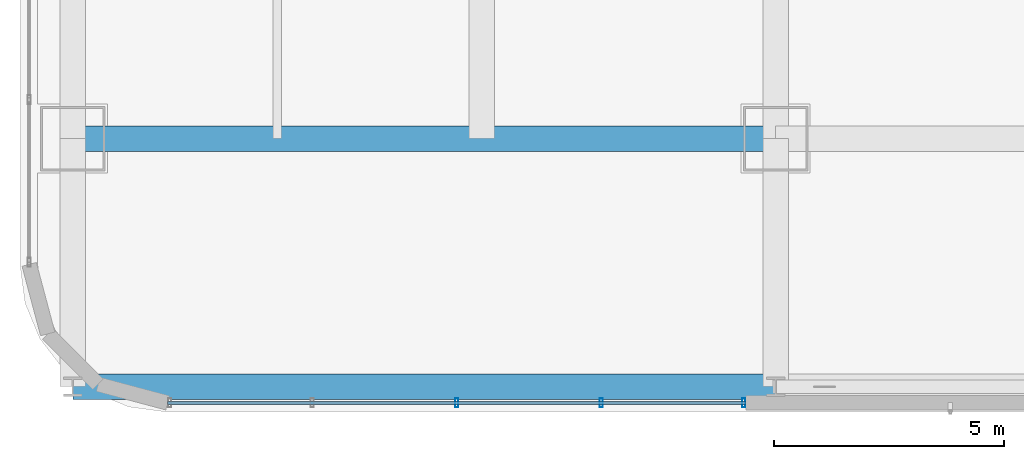
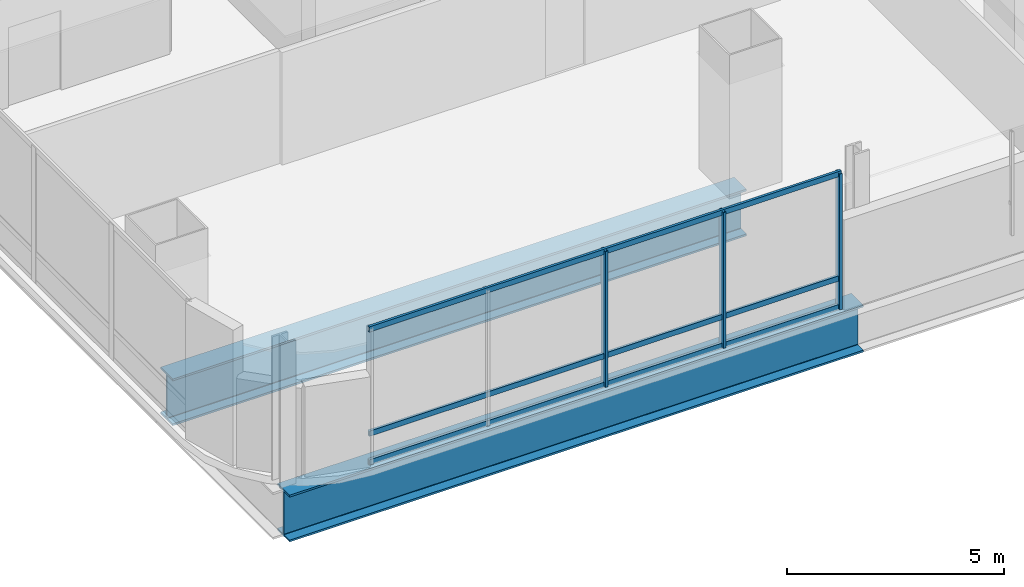
# One storey, part 3 of 41: 6 members, 2 beams, 1 element without a shape of its own.
"""IFC4 building model written with IfcOpenShell, lengths in metres."""

from ifc_helpers import new_model, si_unit, direction, frame, origin, origin_2d, place, context, subcontext, project, spatial, hollow_rectangle, i_section, extrude, material, material_profile, profile_set, type_object, element, aggregate, save


model = new_model("IFC4")

# Units and contexts
model_context = context("Model", 3, precision=1e-05, world=origin(), true_north=direction((0.0, 1.0)))
body_context = subcontext(model_context, "Body", "Model", "MODEL_VIEW")
ifc_project = project(units=[si_unit("LENGTHUNIT", "METRE"), si_unit("AREAUNIT", "SQUARE_METRE"), si_unit("VOLUMEUNIT", "CUBIC_METRE"), si_unit("PLANEANGLEUNIT", "RADIAN"), si_unit("MASSUNIT", "GRAM", prefix="KILO")], contexts=[model_context])

# Site, building, storey
site_placement = place(None, origin())
site = spatial("IfcSite", under=ifc_project, at=site_placement, CompositionType="ELEMENT")
building_placement = place(site_placement, origin())
building = spatial("IfcBuilding", under=site, at=building_placement, Name="Punatoya Terracotta Tower", CompositionType="ELEMENT")
storey_placement = place(building_placement, frame((0.0, 0.0, 220.800048828125)))
storey = spatial("IfcBuildingStorey", under=building, at=storey_placement, Name="L52", CompositionType="ELEMENT", Elevation=220.800048828125)

# Beams
ifc_material_1 = material(Name="Steel S460", Category="steel")
ifc_material_profile_1 = material_profile(ifc_material_1, i_section(OverallWidth=0.56005859375, OverallDepth=1.320068359375, WebThickness=0.035888671875, FlangeThickness=0.054931640625, FilletRadius=0.01806640625, at=origin_2d()))
ifc_profile_set_1 = profile_set([ifc_material_profile_1], Name="Steel S460")
beam_type = type_object("IfcBeamType", Name="BM-TG-BLK", PredefinedType="BEAM", material=ifc_profile_set_1)
for number, where, z_axis, x_axis, name in (
    (1, (-19.10009765625, -17.5, -0.880126953125), (1.0, 0.0, 0.0), (0.0, 1.0, 0.0), "BM-L52-RG-S1"),
    (2, (-19.10009765625, -22.89990234375, -0.880126953125), (1.0, 0.0, 0.0), (0.0, 1.0, 0.0), "BM-L52-PER-S1"),
):
    element("IfcBeam", number, at=place(storey_placement, frame(where, z_axis=z_axis, x_axis=x_axis)), inside=storey, type_object=beam_type, Name=name, PredefinedType="BEAM", context=body_context, shape_type="SweptSolid", body=[
        extrude(i_section(OverallWidth=0.56005859375, OverallDepth=1.320068359375, WebThickness=0.035888671875, FlangeThickness=0.054931640625, FilletRadius=0.01806640625, at=origin_2d()), origin(), (0.0, 0.0, 1.0), 15.300048828125),
    ])

# Curtain wall, members
ifc_material_2 = material(Name="Aluminium 6063-T6 + Double Low-E Glass", Category="aluminium")
curtain_wall_type = type_object("IfcCurtainWallType", Name="CW-M2", PredefinedType="NOTDEFINED", material=ifc_material_2)
curtain_wall_placement = place(storey_placement, origin())
curtain_wall = element("IfcCurtainWall", 3, at=curtain_wall_placement, inside=storey, type_object=curtain_wall_type, Name="L52 Curtain Wall CW-L52-S01-1", PredefinedType="NOTDEFINED")
ifc_material_3 = material(Name="Aluminium 6063-T6", Category="aluminium")
ifc_material_profile_2 = material_profile(ifc_material_3, hollow_rectangle(XDim=0.072021484375, YDim=0.195068359375, WallThickness=0.00439453125, at=origin_2d()))
ifc_profile_set_2 = profile_set([ifc_material_profile_2], Name="Aluminium 6063-T6")
member_type_1 = type_object("IfcMemberType", Name="CW-MUL-M2", PredefinedType="MULLION", material=ifc_profile_set_2)
member_1_placement = place(storey_placement, frame((-10.743408203125, -23.25, 0.0), z_axis=(0.0, 0.0, 1.0), x_axis=(1.0, 0.0, 0.0)))
member_1 = element("IfcMember", 4, at=member_1_placement, type_object=member_type_1, Name="CW-L52-S01-1 Mullion 02", PredefinedType="MULLION", context=body_context, shape_type="SweptSolid", body=[
    extrude(hollow_rectangle(XDim=0.072021484375, YDim=0.195068359375, WallThickness=0.00439453125, at=origin_2d()), origin(), (0.0, 0.0, 1.0), 3.829833984375),
])
member_2_placement = place(storey_placement, frame((-7.5966796875, -23.25, 0.0), z_axis=(0.0, 0.0, 1.0), x_axis=(1.0, 0.0, 0.0)))
member_2 = element("IfcMember", 5, at=member_2_placement, type_object=member_type_1, Name="CW-L52-S01-1 Mullion 03", PredefinedType="MULLION", context=body_context, shape_type="SweptSolid", body=[
    extrude(hollow_rectangle(XDim=0.072021484375, YDim=0.195068359375, WallThickness=0.00439453125, at=origin_2d()), origin(), (0.0, 0.0, 1.0), 3.829833984375),
])
member_3_placement = place(storey_placement, frame((-4.4951171875, -23.25, 0.0), z_axis=(0.0, 0.0, 1.0), x_axis=(1.0, 0.0, 0.0)))
member_3 = element("IfcMember", 6, at=member_3_placement, type_object=member_type_1, Name="CW-L52-S01-1 Mullion 04", PredefinedType="MULLION", context=body_context, shape_type="SweptSolid", body=[
    extrude(hollow_rectangle(XDim=0.072021484375, YDim=0.195068359375, WallThickness=0.00439453125, at=origin_2d()), origin(), (0.0, 0.0, 1.0), 3.829833984375),
])
ifc_material_profile_3 = material_profile(ifc_material_3, hollow_rectangle(XDim=0.068115234375, YDim=0.14990234375, WallThickness=0.00390625, at=origin_2d()))
ifc_profile_set_3 = profile_set([ifc_material_profile_3], Name="Aluminium 6063-T6")
member_type_2 = type_object("IfcMemberType", Name="CW-TRN-TYP", PredefinedType="USERDEFINED", material=ifc_profile_set_3)
member_4_placement = place(storey_placement, frame((-17.036865234375, -23.25, 0.0400390625), z_axis=(1.0, 0.0, 0.0), x_axis=(0.0, 1.0, 0.0)))
member_4 = element("IfcMember", 7, at=member_4_placement, type_object=member_type_2, Name="CW-L52-S01-1 Transom 1", ObjectType="TRANSOM", PredefinedType="USERDEFINED", context=body_context, shape_type="SweptSolid", body=[
    extrude(hollow_rectangle(XDim=0.068115234375, YDim=0.14990234375, WallThickness=0.00390625, at=origin_2d()), origin(), (0.0, 0.0, 1.0), 12.5869140625),
])
member_5_placement = place(storey_placement, frame((-17.036865234375, -23.25, 0.849853515625), z_axis=(1.0, 0.0, 0.0), x_axis=(0.0, 1.0, 0.0)))
member_5 = element("IfcMember", 8, at=member_5_placement, type_object=member_type_2, Name="CW-L52-S01-1 Transom 2", ObjectType="TRANSOM", PredefinedType="USERDEFINED", context=body_context, shape_type="SweptSolid", body=[
    extrude(hollow_rectangle(XDim=0.068115234375, YDim=0.14990234375, WallThickness=0.00390625, at=origin_2d()), origin(), (0.0, 0.0, 1.0), 12.5869140625),
])
member_6_placement = place(storey_placement, frame((-17.036865234375, -23.25, 3.7900390625), z_axis=(1.0, 0.0, 0.0), x_axis=(0.0, 1.0, 0.0)))
member_6 = element("IfcMember", 9, at=member_6_placement, type_object=member_type_2, Name="CW-L52-S01-1 Transom 3", ObjectType="TRANSOM", PredefinedType="USERDEFINED", context=body_context, shape_type="SweptSolid", body=[
    extrude(hollow_rectangle(XDim=0.068115234375, YDim=0.14990234375, WallThickness=0.00390625, at=origin_2d()), origin(), (0.0, 0.0, 1.0), 12.5869140625),
])
aggregate(curtain_wall, [member_1, member_2, member_3, member_4, member_5, member_6])

save(model, "model.ifc")
